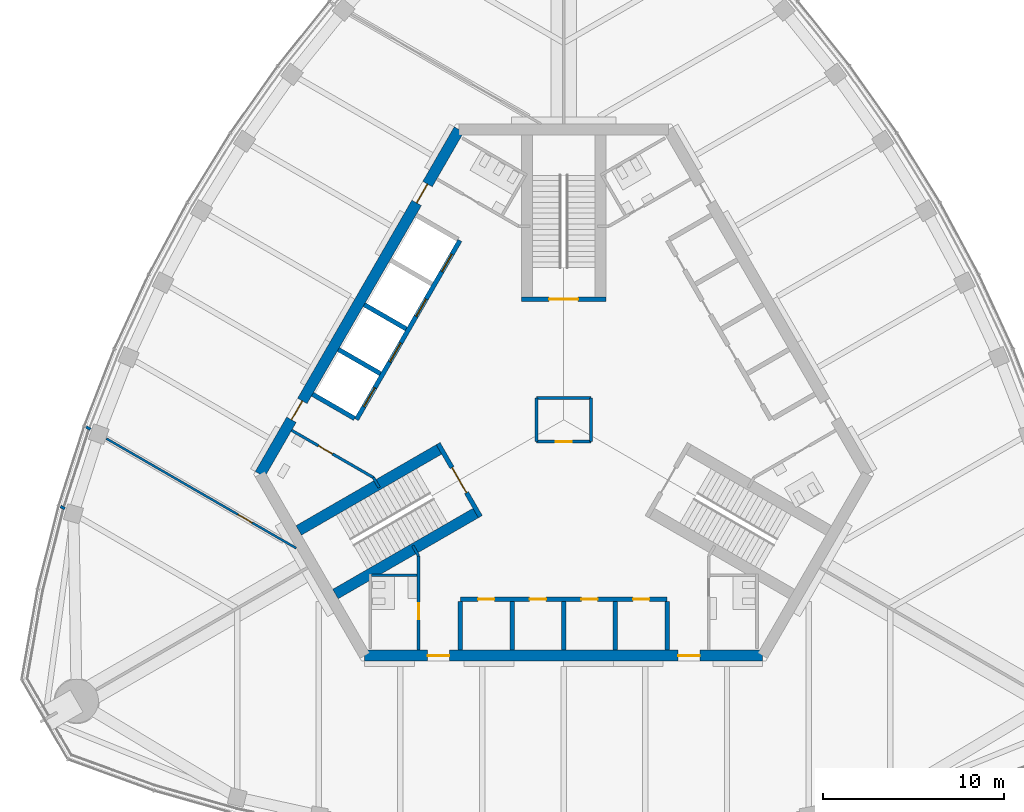
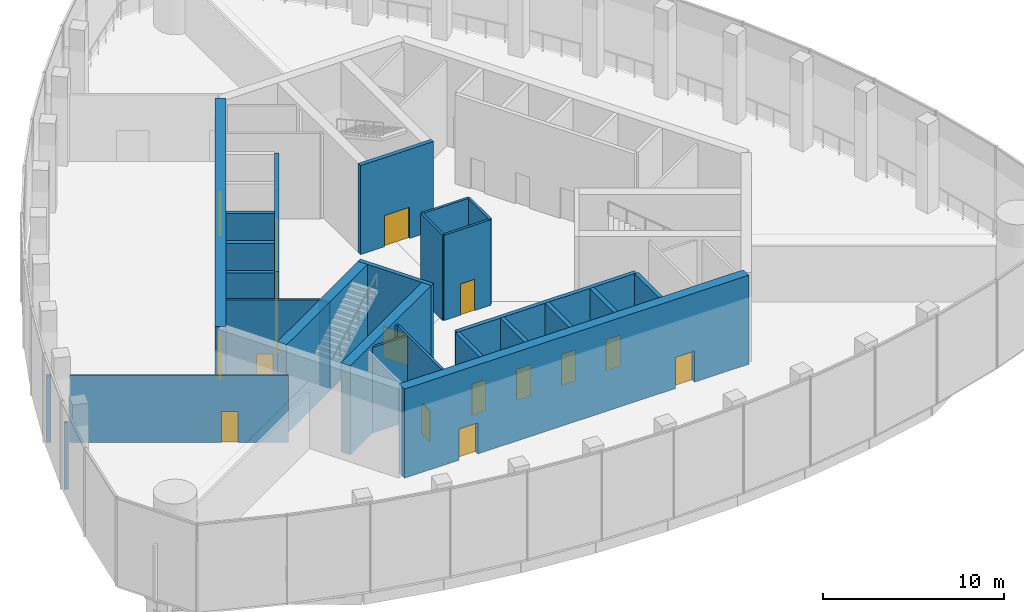
# One storey, part 9 of 15: 28 walls, 18 doors, 18 openings.
"""IFC4 building model written with IfcOpenShell, lengths in metres."""

import ifcopenshell
import ifcopenshell.guid

model = None  # the IFC model being written
_history = None  # IfcOwnerHistory: only IFC2X3 demands one
_inside = {}  # id of a spatial element -> (the spatial element, [elements in it])
_under = {}  # id of a project, library or spatial element -> (it, [spatial elements below it])
_declared = {}  # id of a project -> (the project, [libraries it declares])
_typed = {}  # id of a type object -> (the type object, [elements of that type])
_made_of = {}  # id of a material, layer set ... -> (it, [elements and type objects made of it])


def new_model(schema):
    """Start an empty IFC model of exactly this schema.

    Asked for "IFC4X3", IfcOpenShell would pick the latest addendum, in which some entities
    have other attributes; the version numbers below select the first issue.
    IFC2X3 requires an IfcOwnerHistory on every rooted entity: one is made here for all.
    """
    global model, _history
    if schema == "IFC4X3":
        model = ifcopenshell.file(schema_version=(4, 3, 0, 0))
    else:
        model = ifcopenshell.file(schema=schema)
    _inside.clear()
    _under.clear()
    _declared.clear()
    _typed.clear()
    _made_of.clear()
    _history = None
    if model.schema == "IFC2X3":
        org = make("IfcOrganization", Name="unknown")
        user = make(
            "IfcPersonAndOrganization",
            ThePerson=make("IfcPerson", FamilyName="unknown"),
            TheOrganization=org,
        )
        app = make(
            "IfcApplication",
            ApplicationDeveloper=org,
            Version="unknown",
            ApplicationFullName="unknown",
            ApplicationIdentifier="unknown",
        )
        _history = make(
            "IfcOwnerHistory",
            OwningUser=user,
            OwningApplication=app,
            ChangeAction="ADDED",
            CreationDate=0,
        )
    return model


def make(cls, **values):
    """One entity of the class cls with the attributes given. An attribute that is None is left unset."""
    return model.create_entity(
        cls, **{name: value for name, value in values.items() if value is not None}
    )


def rooted(cls, **values):
    """An entity with a GlobalId (a new one), such as an element, a storey or a relation."""
    return make(cls, GlobalId=ifcopenshell.guid.new(), OwnerHistory=_history, **values)


def si_unit(unit_type, name, prefix=None):
    """IfcSIUnit, for example si_unit("LENGTHUNIT", "METRE", prefix="MILLI")."""
    return make("IfcSIUnit", UnitType=unit_type, Prefix=prefix, Name=name)


def assignment(units):
    """IfcUnitAssignment: the units of a project."""
    return None if units is None else make("IfcUnitAssignment", Units=units)


def point(xyz):
    """IfcCartesianPoint."""
    return None if xyz is None else make("IfcCartesianPoint", Coordinates=xyz)


def direction(xyz):
    """IfcDirection."""
    return None if xyz is None else make("IfcDirection", DirectionRatios=xyz)


def frame(location, z_axis=None, x_axis=None):
    """IfcAxis2Placement3D, a coordinate frame: its origin and axes. An axis left out is left unset."""
    return make(
        "IfcAxis2Placement3D",
        Location=point(location),
        Axis=direction(z_axis),
        RefDirection=direction(x_axis),
    )


def frame_2d(location, x_axis=None):
    """IfcAxis2Placement2D, a coordinate frame in the plane: its origin and x axis."""
    return make(
        "IfcAxis2Placement2D", Location=point(location), RefDirection=direction(x_axis)
    )


def origin():
    """The frame at (0, 0, 0) with its axes left unset."""
    return frame((0.0, 0.0, 0.0))


def place(relative_to, where):
    """IfcLocalPlacement: puts the frame where relative to a parent placement (None: the world)."""
    return make(
        "IfcLocalPlacement", PlacementRelTo=relative_to, RelativePlacement=where
    )


def context(
    kind, dimensions, precision=None, world=None, true_north=None, identifier=None
):
    """IfcGeometricRepresentationContext, for example the 3D "Model" context."""
    return make(
        "IfcGeometricRepresentationContext",
        ContextIdentifier=identifier,
        ContextType=kind,
        CoordinateSpaceDimension=dimensions,
        Precision=precision,
        WorldCoordinateSystem=world,
        TrueNorth=true_north,
    )


def subcontext(parent, identifier, kind, view, scale=None):
    """IfcGeometricRepresentationSubContext, for example "Body" below "Model"."""
    return make(
        "IfcGeometricRepresentationSubContext",
        ContextIdentifier=identifier,
        ContextType=kind,
        ParentContext=parent,
        TargetScale=scale,
        TargetView=view,
    )


def project(units=None, contexts=None):
    """IfcProject with its units and contexts."""
    return rooted(
        "IfcProject",
        Name="project",
        RepresentationContexts=contexts,
        UnitsInContext=assignment(units),
    )


def spatial(cls, under=None, at=None, **own):
    """A site, building, storey or space (cls), placed at a placement, below another one or the project."""
    s = rooted(cls, ObjectPlacement=at, **own)
    if under is not None:
        _under.setdefault(under.id(), (under, []))[1].append(s)
    return s


def profile(cls, at=None, kind="AREA", **sizes):
    """A parametric profile (cls). Its sizes go by their IFC names, for example OverallWidth=200.0."""
    return make(cls, ProfileType=kind, Position=at, **sizes)


def rectangle(**sizes):
    """IfcRectangleProfileDef."""
    return profile("IfcRectangleProfileDef", **sizes)


def extrude(swept, where, along, depth):
    """IfcExtrudedAreaSolid: the profile swept, set in the frame where, extruded along a direction by depth."""
    return make(
        "IfcExtrudedAreaSolid",
        SweptArea=swept,
        Position=where,
        ExtrudedDirection=direction(along),
        Depth=depth,
    )


def shape(context_of_items, identifier, shape_type, items):
    """IfcShapeRepresentation: the items that make up one representation, for example the "Body"."""
    return make(
        "IfcShapeRepresentation",
        ContextOfItems=context_of_items,
        RepresentationIdentifier=identifier,
        RepresentationType=shape_type,
        Items=items,
    )


def material(Name=None, Category=None):
    """IfcMaterial."""
    return make("IfcMaterial", Name=Name, Category=Category)


def layer(
    of_material, thickness, ventilated=None, Name=None, Category=None, Priority=None
):
    """IfcMaterialLayer: one layer of a wall or slab, of a material (None: an air gap)."""
    return make(
        "IfcMaterialLayer",
        Material=of_material,
        LayerThickness=thickness,
        IsVentilated=ventilated,
        Name=Name,
        Category=Category,
        Priority=Priority,
    )


def layer_set(layers, Name=None):
    """IfcMaterialLayerSet."""
    return make("IfcMaterialLayerSet", MaterialLayers=layers, LayerSetName=Name)


def made_of(thing, what):
    """Note that an element or type object is made of a material, layer set ...; save() writes the relation."""
    if what is not None:
        _made_of.setdefault(what.id(), (what, []))[1].append(thing)
    return thing


def type_object(cls, material=None, **own):
    """A type object (cls), such as IfcWallType, which elements share."""
    return made_of(rooted(cls, **own), material)


def element(
    cls,
    number,
    at=None,
    inside=None,
    cuts=None,
    type_object=None,
    material=None,
    context=None,
    identifier="Body",
    shape_type=None,
    held_by="IfcProductDefinitionShape",
    body=None,
    shapes=None,
    **own,
):
    """One element of the class cls, such as IfcWall. Its Tag is "e" and its number.

    at: its placement. inside: the storey or other place that contains it. cuts: it is an
    opening in that element (IfcRelVoidsElement). A single representation is given by context,
    identifier, shape_type and body (its items); several are given by shapes. held_by: the class
    of the entity that holds the representations. save() writes the other relations.
    """
    e = rooted(cls, Tag="e%d" % number, ObjectPlacement=at, **own)
    if body is not None:
        shapes = [shape(context, identifier, shape_type, body)]
    if shapes is not None:
        e.Representation = make(held_by, Representations=shapes)
    if inside is not None:
        _inside.setdefault(inside.id(), (inside, []))[1].append(e)
    if cuts is not None:
        rooted(
            "IfcRelVoidsElement", RelatingBuildingElement=cuts, RelatedOpeningElement=e
        )
    if type_object is not None:
        _typed.setdefault(type_object.id(), (type_object, []))[1].append(e)
    return made_of(e, material)


def fill(opening, filler):
    """IfcRelFillsElement: the door or window that sits in an opening."""
    return rooted(
        "IfcRelFillsElement",
        RelatingOpeningElement=opening,
        RelatedBuildingElement=filler,
    )


def aggregate(whole, parts):
    """IfcRelAggregates: a whole, such as a stair, and the parts it consists of."""
    return rooted("IfcRelAggregates", RelatingObject=whole, RelatedObjects=parts)


def save(model, path):
    """Write the relations noted so far, then the file.

    IfcRelAggregates (storeys below a building ...), IfcRelContainedInSpatialStructure (elements
    in a storey), IfcRelDefinesByType, IfcRelAssociatesMaterial and IfcRelDeclares: one each for
    every whole, place, type object, material and project.
    """
    for whole, parts in _under.values():
        aggregate(whole, parts)
    for where, things in _inside.values():
        rooted(
            "IfcRelContainedInSpatialStructure",
            RelatedElements=things,
            RelatingStructure=where,
        )
    for kind, things in _typed.values():
        rooted("IfcRelDefinesByType", RelatedObjects=things, RelatingType=kind)
    for what, things in _made_of.values():
        rooted("IfcRelAssociatesMaterial", RelatedObjects=things, RelatingMaterial=what)
    for by, libraries in _declared.values():
        rooted("IfcRelDeclares", RelatingContext=by, RelatedDefinitions=libraries)
    model.write(path)


model = new_model("IFC4")

# Units and contexts
model_context = context("Model", 3, precision=1e-05, world=origin(), true_north=direction((0.0, 1.0)))
body_context = subcontext(model_context, "Body", "Model", "MODEL_VIEW")
ifc_project = project(units=[si_unit("LENGTHUNIT", "METRE"), si_unit("AREAUNIT", "SQUARE_METRE"), si_unit("VOLUMEUNIT", "CUBIC_METRE"), si_unit("PLANEANGLEUNIT", "RADIAN"), si_unit("MASSUNIT", "GRAM", prefix="KILO")], contexts=[model_context])

# Site, building, storey
site_placement = place(None, origin())
site = spatial("IfcSite", under=ifc_project, at=site_placement, CompositionType="ELEMENT")
building_placement = place(site_placement, origin())
building = spatial("IfcBuilding", under=site, at=building_placement, Name="Trefoil Bronze Tower", CompositionType="ELEMENT")
storey_placement = place(building_placement, frame((0.0, 0.0, 322.5)))
storey = spatial("IfcBuildingStorey", under=building, at=storey_placement, Name="L74", CompositionType="ELEMENT", Elevation=322.5)

# Wall, openings, doors
ifc_material_1 = material(Name="Concrete B80", Category="concrete")
ifc_layer_1 = layer(ifc_material_1, 0.60009765625)
ifc_layer_set_1 = layer_set([ifc_layer_1], Name="Core wall 600")
wall_type_1 = type_object("IfcWallType", Name="Core wall 600", PredefinedType="SHEAR", material=ifc_layer_set_1)
wall_1_placement = place(storey_placement, frame((-10.9697265625, -13.0, 0.0), z_axis=(0.0, 0.0, 1.0), x_axis=(1.0, 0.0, 0.0)))
wall_1 = element("IfcWall", 1, at=wall_1_placement, inside=storey, type_object=wall_type_1, Name="Core long wall 1 L74", PredefinedType="SHEAR", context=body_context, shape_type="SweptSolid", body=[
    extrude(rectangle(XDim=21.939453125, YDim=0.60009765625, at=frame_2d((10.9697265625, 0.0))), origin(), (0.0, 0.0, 1.0), 6.0),
])
opening_1_placement = place(wall_1_placement, frame((17.269775390625, 0.0, 0.0)))
opening_1 = element("IfcOpeningElement", 2, at=opening_1_placement, cuts=wall_1, Name="Opening D2", PredefinedType="OPENING", context=body_context, shape_type="SweptSolid", body=[
    extrude(rectangle(XDim=1.199951171875, YDim=2.10009765625, at=frame_2d((0.60009765625, 1.050048828125))), frame((0.0, 0.31005859375, 0.0), z_axis=(0.0, -1.0, 0.0), x_axis=(1.0, 0.0, 0.0)), (0.0, 0.0, 1.0), 0.6201171875),
])
opening_2_placement = place(wall_1_placement, frame((3.4697265625, 0.0, 0.0)))
opening_2 = element("IfcOpeningElement", 3, at=opening_2_placement, cuts=wall_1, Name="Opening D2", PredefinedType="OPENING", context=body_context, shape_type="SweptSolid", body=[
    extrude(rectangle(XDim=1.199951171875, YDim=2.10009765625, at=frame_2d((0.60009765625, 1.050048828125))), frame((0.0, 0.31005859375, 0.0), z_axis=(0.0, -1.0, 0.0), x_axis=(1.0, 0.0, 0.0)), (0.0, 0.0, 1.0), 0.6201171875),
])
ifc_material_2 = material(Name="Steel door", Category="steel")
door_type_1 = type_object("IfcDoorType", Name="Lobby door 1200", OperationType="SINGLE_SWING_RIGHT", PredefinedType="DOOR", material=ifc_material_2)
door_1_placement = place(opening_1_placement, origin())
door_1 = element("IfcDoor", 4, at=door_1_placement, inside=storey, type_object=door_type_1, Name="Lobby door F1+ L74", OperationType="SINGLE_SWING_RIGHT", OverallHeight=2.10009765625, OverallWidth=1.199951171875, PredefinedType="DOOR", context=body_context, shape_type="SweptSolid", body=[
    extrude(rectangle(XDim=1.199951171875, YDim=2.10009765625, at=frame_2d((0.60009765625, 1.050048828125))), frame((0.0, 0.02490234375, 0.0), z_axis=(0.0, -1.0, 0.0), x_axis=(1.0, 0.0, 0.0)), (0.0, 0.0, 1.0), 0.050048828125),
])
fill(opening_1, door_1)
door_2_placement = place(opening_2_placement, origin())
door_2 = element("IfcDoor", 5, at=door_2_placement, inside=storey, type_object=door_type_1, Name="Lobby door F1- L74", OperationType="SINGLE_SWING_LEFT", OverallHeight=2.10009765625, OverallWidth=1.199951171875, PredefinedType="DOOR", context=body_context, shape_type="SweptSolid", body=[
    extrude(rectangle(XDim=1.199951171875, YDim=2.10009765625, at=frame_2d((0.60009765625, 1.050048828125))), frame((0.0, 0.02490234375, 0.0), z_axis=(0.0, -1.0, 0.0), x_axis=(1.0, 0.0, 0.0)), (0.0, 0.0, 1.0), 0.050048828125),
])
fill(opening_2, door_2)

wall_2_placement = place(storey_placement, frame((-5.7734375, 16.0, 0.0), z_axis=(0.0, 0.0, 1.0), x_axis=(-0.500002442456, -0.866023993627, 0.0)))
wall_2 = element("IfcWall", 6, at=wall_2_placement, inside=storey, type_object=wall_type_1, Name="Core long wall 3 L74", PredefinedType="SHEAR", context=body_context, shape_type="SweptSolid", body=[
    extrude(rectangle(XDim=21.939453125, YDim=0.60009765625, at=frame_2d((10.9697265625, 0.0))), origin(), (0.0, 0.0, 1.0), 6.0),
])
opening_3_placement = place(wall_2_placement, frame((17.269775390625, 0.0, 0.0)))
opening_3 = element("IfcOpeningElement", 7, at=opening_3_placement, cuts=wall_2, Name="Opening D2", PredefinedType="OPENING", context=body_context, shape_type="SweptSolid", body=[
    extrude(rectangle(XDim=1.199951171875, YDim=2.10009765625, at=frame_2d((0.60009765625, 1.050048828125))), frame((0.0, 0.31005859375, 0.0), z_axis=(0.0, -1.0, 0.0), x_axis=(1.0, 0.0, 0.0)), (0.0, 0.0, 1.0), 0.6201171875),
])
opening_4_placement = place(wall_2_placement, frame((3.4697265625, 0.0, 0.0)))
opening_4 = element("IfcOpeningElement", 8, at=opening_4_placement, cuts=wall_2, Name="Opening D2", PredefinedType="OPENING", context=body_context, shape_type="SweptSolid", body=[
    extrude(rectangle(XDim=1.199951171875, YDim=2.10009765625, at=frame_2d((0.60009765625, 1.050048828125))), frame((0.0, 0.31005859375, 0.0), z_axis=(0.0, -1.0, 0.0), x_axis=(1.0, 0.0, 0.0)), (0.0, 0.0, 1.0), 0.6201171875),
])
door_3_placement = place(opening_3_placement, origin())
door_3 = element("IfcDoor", 9, at=door_3_placement, inside=storey, type_object=door_type_1, Name="Lobby door F3+ L74", OperationType="SINGLE_SWING_RIGHT", OverallHeight=2.10009765625, OverallWidth=1.199951171875, PredefinedType="DOOR", context=body_context, shape_type="SweptSolid", body=[
    extrude(rectangle(XDim=1.199951171875, YDim=2.10009765625, at=frame_2d((0.60009765625, 1.050048828125))), frame((0.0, 0.02490234375, 0.0), z_axis=(0.0, -1.0, 0.0), x_axis=(1.0, 0.0, 0.0)), (0.0, 0.0, 1.0), 0.050048828125),
])
fill(opening_3, door_3)
door_4_placement = place(opening_4_placement, origin())
door_4 = element("IfcDoor", 10, at=door_4_placement, inside=storey, type_object=door_type_1, Name="Lobby door F3- L74", OperationType="SINGLE_SWING_LEFT", OverallHeight=2.10009765625, OverallWidth=1.199951171875, PredefinedType="DOOR", context=body_context, shape_type="SweptSolid", body=[
    extrude(rectangle(XDim=1.199951171875, YDim=2.10009765625, at=frame_2d((0.60009765625, 1.050048828125))), frame((0.0, 0.02490234375, 0.0), z_axis=(0.0, -1.0, 0.0), x_axis=(1.0, 0.0, 0.0)), (0.0, 0.0, 1.0), 0.050048828125),
])
fill(opening_4, door_4)

# Wall, opening, door
ifc_material_3 = material(Name="Glazed partition", Category="glass")
ifc_layer_2 = layer(ifc_material_3, 0.1201171875)
ifc_layer_set_2 = layer_set([ifc_layer_2], Name="Glazed partition 120")
wall_type_2 = type_object("IfcWallType", Name="Glazed partition 120", PredefinedType="PARTITIONING", material=ifc_layer_set_2)
wall_3_placement = place(storey_placement, frame((-14.749755859375, -7.07275390625, 0.0), z_axis=(0.0, 0.0, 1.0), x_axis=(-0.866024005325, 0.500002422196, 0.0)))
wall_3 = element("IfcWall", 11, at=wall_3_placement, inside=storey, type_object=wall_type_2, Name="Partition F3 L74", PredefinedType="PARTITIONING", context=body_context, shape_type="SweptSolid", body=[
    extrude(rectangle(XDim=12.07763671875, YDim=0.1201171875, at=frame_2d((6.038818359375, 0.0))), origin(), (0.0, 0.0, 1.0), 4.5),
])
opening_5_placement = place(wall_3_placement, frame((2.800048828125, 0.0, 0.0)))
opening_5 = element("IfcOpeningElement", 12, at=opening_5_placement, cuts=wall_3, Name="Opening D8", PredefinedType="OPENING", context=body_context, shape_type="SweptSolid", body=[
    extrude(rectangle(XDim=0.89990234375, YDim=2.10009765625, at=frame_2d((0.449951171875, 1.050048828125))), frame((0.0, 0.070068359375, 0.0), z_axis=(0.0, -1.0, 0.0), x_axis=(1.0, 0.0, 0.0)), (0.0, 0.0, 1.0), 0.14013671875),
])
ifc_material_4 = material(Name="Timber door", Category="wood")
door_type_2 = type_object("IfcDoorType", Name="Office door 900", OperationType="SINGLE_SWING_LEFT", PredefinedType="DOOR", material=ifc_material_4)
door_5_placement = place(opening_5_placement, origin())
door_5 = element("IfcDoor", 13, at=door_5_placement, inside=storey, type_object=door_type_2, Name="Gift shop door F3 L74", OperationType="SINGLE_SWING_LEFT", OverallHeight=2.10009765625, OverallWidth=0.89990234375, PredefinedType="DOOR", context=body_context, shape_type="SweptSolid", body=[
    extrude(rectangle(XDim=0.89990234375, YDim=2.10009765625, at=frame_2d((0.449951171875, 1.050048828125))), frame((0.0, 0.02490234375, 0.0), z_axis=(0.0, -1.0, 0.0), x_axis=(1.0, 0.0, 0.0)), (0.0, 0.0, 1.0), 0.050048828125),
])
fill(opening_5, door_5)

ifc_material_5 = material(Name="Gypsum board on steel studs", Category="steel")
ifc_layer_3 = layer(ifc_material_5, 0.14990234375)
ifc_layer_set_3 = layer_set([ifc_layer_3], Name="Partition 150")
wall_type_3 = type_object("IfcWallType", Name="Partition 150", PredefinedType="PARTITIONING", material=ifc_layer_set_3)
wall_4_placement = place(storey_placement, frame((-8.0, -7.5, 0.0), z_axis=(0.0, 0.0, 1.0), x_axis=(0.0, -1.0, 0.0)))
wall_4 = element("IfcWall", 14, at=wall_4_placement, inside=storey, type_object=wall_type_3, Name="Passage wall F1- L74", PredefinedType="PARTITIONING", context=body_context, shape_type="SweptSolid", body=[
    extrude(rectangle(XDim=5.199951171875, YDim=0.14990234375, at=frame_2d((2.60009765625, 0.0))), origin(), (0.0, 0.0, 1.0), 5.75),
])
opening_6_placement = place(wall_4_placement, frame((2.60009765625, 0.0, 0.0)))
opening_6 = element("IfcOpeningElement", 15, at=opening_6_placement, cuts=wall_4, Name="Opening D3", PredefinedType="OPENING", context=body_context, shape_type="SweptSolid", body=[
    extrude(rectangle(XDim=0.89990234375, YDim=2.10009765625, at=frame_2d((0.449951171875, 1.050048828125))), frame((0.0, 0.0849609375, 0.0), z_axis=(0.0, -1.0, 0.0), x_axis=(1.0, 0.0, 0.0)), (0.0, 0.0, 1.0), 0.169921875),
])
ifc_material_6 = material(Name="Timber door", Category="wood")
door_type_3 = type_object("IfcDoorType", Name="WC door 900", OperationType="SINGLE_SWING_LEFT", PredefinedType="DOOR", material=ifc_material_6)
door_6_placement = place(opening_6_placement, frame((0.89990234375, 0.0, 0.0), z_axis=(0.0, 0.0, 1.0), x_axis=(-1.0, 0.0, 0.0)))
door_6 = element("IfcDoor", 16, at=door_6_placement, inside=storey, type_object=door_type_3, Name="WC (women) door L74", OperationType="SINGLE_SWING_RIGHT", OverallHeight=2.10009765625, OverallWidth=0.89990234375, PredefinedType="DOOR", context=body_context, shape_type="SweptSolid", body=[
    extrude(rectangle(XDim=0.89990234375, YDim=2.10009765625, at=frame_2d((0.449951171875, 1.050048828125))), frame((0.0, 0.02490234375, 0.0), z_axis=(0.0, -1.0, 0.0), x_axis=(1.0, 0.0, 0.0)), (0.0, 0.0, 1.0), 0.050048828125),
])
fill(opening_6, door_6)

wall_5_placement = place(storey_placement, frame((-10.4951171875, -3.17822265625, 0.0), z_axis=(0.0, 0.0, 1.0), x_axis=(-0.866021400173, 0.500006934395, 0.0)))
wall_5 = element("IfcWall", 17, at=wall_5_placement, inside=storey, type_object=wall_type_3, Name="Passage wall F3+ L74", PredefinedType="PARTITIONING", context=body_context, shape_type="SweptSolid", body=[
    extrude(rectangle(XDim=5.2001953125, YDim=0.14990234375, at=frame_2d((2.60009765625, 0.0))), origin(), (0.0, 0.0, 1.0), 5.75),
])
opening_7_placement = place(wall_5_placement, frame((2.60009765625, 0.0, 0.0)))
opening_7 = element("IfcOpeningElement", 18, at=opening_7_placement, cuts=wall_5, Name="Opening D3", PredefinedType="OPENING", context=body_context, shape_type="SweptSolid", body=[
    extrude(rectangle(XDim=0.89990234375, YDim=2.10009765625, at=frame_2d((0.449951171875, 1.050048828125))), frame((0.0, 0.0849609375, 0.0), z_axis=(0.0, -1.0, 0.0), x_axis=(1.0, 0.0, 0.0)), (0.0, 0.0, 1.0), 0.169921875),
])
door_7_placement = place(opening_7_placement, origin())
door_7 = element("IfcDoor", 19, at=door_7_placement, inside=storey, type_object=door_type_3, Name="Accessible WC door L74", OperationType="SINGLE_SWING_RIGHT", OverallHeight=2.10009765625, OverallWidth=0.89990234375, PredefinedType="DOOR", context=body_context, shape_type="SweptSolid", body=[
    extrude(rectangle(XDim=0.89990234375, YDim=2.10009765625, at=frame_2d((0.449951171875, 1.050048828125))), frame((0.0, 0.02490234375, 0.0), z_axis=(0.0, -1.0, 0.0), x_axis=(1.0, 0.0, 0.0)), (0.0, 0.0, 1.0), 0.050048828125),
])
fill(opening_7, door_7)

# Walls
for number, where, z_axis, x_axis, name in (
    (20, (-10.4951171875, -3.17822265625, 0.0), (0.0, 0.0, 1.0), (0.499842556608, -0.866116284689, 0.0), "WC wall ST3-1 L74"),
    (21, (-8.0, -7.5, 0.0), (0.0, 0.0, 1.0), (-0.499842556608, 0.866116284689, 0.0), "WC wall ST3+1 L74"),
):
    element("IfcWall", number, at=place(storey_placement, frame(where, z_axis=z_axis, x_axis=x_axis)), inside=storey, type_object=wall_type_3, Name=name, PredefinedType="PARTITIONING", context=body_context, shape_type="SweptSolid", body=[
        extrude(rectangle(XDim=0.645263671875, YDim=0.14990234375, at=frame_2d((0.32275390625, 0.0))), origin(), (0.0, 0.0, 1.0), 5.75),
    ])
wall_6_placement = place(storey_placement, frame((-8.074951171875, -8.574951171875, 0.0), z_axis=(0.0, 0.0, 1.0), x_axis=(-1.0, 0.0, 0.0)))
element("IfcWall", 22, at=wall_6_placement, inside=storey, type_object=wall_type_3, Name="WC partition WC (women) L74", PredefinedType="PARTITIONING", context=body_context, shape_type="SweptSolid", body=[
    extrude(rectangle(XDim=2.510009765625, YDim=0.14990234375, at=frame_2d((1.2548828125, 0.0))), origin(), (0.0, 0.0, 1.0), 5.75),
])
wall_7_placement = place(storey_placement, frame((-26.08935546875, -0.52587890625, 0.0), z_axis=(0.0, 0.0, 1.0), x_axis=(-0.865982457891, 0.500074377092, 0.0)))
element("IfcWall", 23, at=wall_7_placement, inside=storey, type_object=wall_type_3, Name="Partition F3 L74", PredefinedType="PARTITIONING", context=body_context, shape_type="SweptSolid", body=[
    extrude(rectangle(XDim=0.2802734375, YDim=0.14990234375, at=frame_2d((0.14013671875, 0.0))), origin(), (0.0, 0.0, 1.0), 4.5),
])
wall_8_placement = place(storey_placement, frame((-27.503662109375, -4.905517578125, 0.0), z_axis=(0.0, 0.0, 1.0), x_axis=(-0.865612200464, 0.500715007172, 0.0)))
element("IfcWall", 24, at=wall_8_placement, inside=storey, type_object=wall_type_3, Name="Partition F3 L74", PredefinedType="PARTITIONING", context=body_context, shape_type="SweptSolid", body=[
    extrude(rectangle(XDim=0.26953125, YDim=0.14990234375, at=frame_2d((0.134765625, 0.0))), origin(), (0.0, 0.0, 1.0), 4.5),
])

# Wall, opening, door
ifc_material_7 = material(Name="Gypsum board on steel studs", Category="steel")
ifc_layer_4 = layer(ifc_material_7, 0.14990234375)
ifc_layer_set_4 = layer_set([ifc_layer_4], Name="Riser wall 150")
wall_type_4 = type_object("IfcWallType", Name="Riser wall 150", PredefinedType="PARTITIONING", material=ifc_layer_set_4)
wall_9_placement = place(storey_placement, frame((-1.5, -1.199951171875, 0.0), z_axis=(0.0, 0.0, 1.0), x_axis=(1.0, 0.0, 0.0)))
wall_9 = element("IfcWall", 25, at=wall_9_placement, inside=storey, type_object=wall_type_4, Name="Riser wall L74", PredefinedType="PARTITIONING", context=body_context, shape_type="SweptSolid", body=[
    extrude(rectangle(XDim=3.0, YDim=0.14990234375, at=frame_2d((1.5, 0.0))), origin(), (0.0, 0.0, 1.0), 5.75),
])
opening_8_placement = place(wall_9_placement, frame((1.050048828125, 0.0, 0.0)))
opening_8 = element("IfcOpeningElement", 26, at=opening_8_placement, cuts=wall_9, Name="Opening D4", PredefinedType="OPENING", context=body_context, shape_type="SweptSolid", body=[
    extrude(rectangle(XDim=0.89990234375, YDim=2.10009765625, at=frame_2d((0.449951171875, 1.050048828125))), frame((0.0, 0.0849609375, 0.0), z_axis=(0.0, -1.0, 0.0), x_axis=(1.0, 0.0, 0.0)), (0.0, 0.0, 1.0), 0.169921875),
])
ifc_material_8 = material(Name="Steel door", Category="steel")
door_type_4 = type_object("IfcDoorType", Name="Riser door 900", OperationType="SINGLE_SWING_LEFT", PredefinedType="DOOR", material=ifc_material_8)
door_8_placement = place(opening_8_placement, frame((0.89990234375, 0.0, 0.0), z_axis=(0.0, 0.0, 1.0), x_axis=(-1.0, 0.0, 0.0)))
door_8 = element("IfcDoor", 27, at=door_8_placement, inside=storey, type_object=door_type_4, Name="Riser door L74", OperationType="SINGLE_SWING_LEFT", OverallHeight=2.10009765625, OverallWidth=0.89990234375, PredefinedType="DOOR", context=body_context, shape_type="SweptSolid", body=[
    extrude(rectangle(XDim=0.89990234375, YDim=2.10009765625, at=frame_2d((0.449951171875, 1.050048828125))), frame((0.0, 0.02490234375, 0.0), z_axis=(0.0, -1.0, 0.0), x_axis=(1.0, 0.0, 0.0)), (0.0, 0.0, 1.0), 0.050048828125),
])
fill(opening_8, door_8)

# Walls
wall_10_placement = place(storey_placement, frame((1.5, -1.199951171875, 0.0), z_axis=(0.0, 0.0, 1.0), x_axis=(0.0, 1.0, 0.0)))
element("IfcWall", 28, at=wall_10_placement, inside=storey, type_object=wall_type_4, Name="Riser wall L74", PredefinedType="PARTITIONING", context=body_context, shape_type="SweptSolid", body=[
    extrude(rectangle(XDim=2.39990234375, YDim=0.14990234375, at=frame_2d((1.199951171875, 0.0))), origin(), (0.0, 0.0, 1.0), 5.75),
])
wall_11_placement = place(storey_placement, frame((1.5, 1.199951171875, 0.0), z_axis=(0.0, 0.0, 1.0), x_axis=(-1.0, 0.0, 0.0)))
element("IfcWall", 29, at=wall_11_placement, inside=storey, type_object=wall_type_4, Name="Riser wall L74", PredefinedType="PARTITIONING", context=body_context, shape_type="SweptSolid", body=[
    extrude(rectangle(XDim=3.0, YDim=0.14990234375, at=frame_2d((1.5, 0.0))), origin(), (0.0, 0.0, 1.0), 5.75),
])
wall_12_placement = place(storey_placement, frame((-1.5, 1.199951171875, 0.0), z_axis=(0.0, 0.0, 1.0), x_axis=(0.0, -1.0, 0.0)))
element("IfcWall", 30, at=wall_12_placement, inside=storey, type_object=wall_type_4, Name="Riser wall L74", PredefinedType="PARTITIONING", context=body_context, shape_type="SweptSolid", body=[
    extrude(rectangle(XDim=2.39990234375, YDim=0.14990234375, at=frame_2d((1.199951171875, 0.0))), origin(), (0.0, 0.0, 1.0), 5.75),
])

# Wall, openings, doors
ifc_material_9 = material(Name="Concrete B80", Category="concrete")
ifc_layer_5 = layer(ifc_material_9, 0.25)
ifc_layer_set_5 = layer_set([ifc_layer_5], Name="Shaft wall 250")
wall_type_5 = type_object("IfcWallType", Name="Shaft wall 250", PredefinedType="SHEAR", material=ifc_layer_set_5)
wall_13_placement = place(storey_placement, frame((-5.699951171875, -9.89990234375, 0.0), z_axis=(0.0, 0.0, 1.0), x_axis=(1.0, 0.0, 0.0)))
wall_13 = element("IfcWall", 31, at=wall_13_placement, inside=storey, type_object=wall_type_5, Name="Lift shaft front wall A L74", PredefinedType="SHEAR", context=body_context, shape_type="SweptSolid", body=[
    extrude(rectangle(XDim=11.39990234375, YDim=0.25, at=frame_2d((5.699951171875, 0.0))), origin(), (0.0, 0.0, 1.0), 6.0),
])
opening_9_placement = place(wall_13_placement, frame((0.97509765625, 0.0, 0.0)))
opening_9 = element("IfcOpeningElement", 32, at=opening_9_placement, cuts=wall_13, Name="Opening D12", PredefinedType="OPENING", context=body_context, shape_type="SweptSolid", body=[
    extrude(rectangle(XDim=0.89990234375, YDim=2.10009765625, at=frame_2d((0.449951171875, 1.050048828125))), frame((0.0, 0.135009765625, 0.0), z_axis=(0.0, -1.0, 0.0), x_axis=(1.0, 0.0, 0.0)), (0.0, 0.0, 1.0), 0.27001953125),
])
opening_10_placement = place(wall_13_placement, frame((3.824951171875, 0.0, 0.0)))
opening_10 = element("IfcOpeningElement", 33, at=opening_10_placement, cuts=wall_13, Name="Opening D12", PredefinedType="OPENING", context=body_context, shape_type="SweptSolid", body=[
    extrude(rectangle(XDim=0.89990234375, YDim=2.10009765625, at=frame_2d((0.449951171875, 1.050048828125))), frame((0.0, 0.135009765625, 0.0), z_axis=(0.0, -1.0, 0.0), x_axis=(1.0, 0.0, 0.0)), (0.0, 0.0, 1.0), 0.27001953125),
])
opening_11_placement = place(wall_13_placement, frame((6.675048828125, 0.0, 0.0)))
opening_11 = element("IfcOpeningElement", 34, at=opening_11_placement, cuts=wall_13, Name="Opening D12", PredefinedType="OPENING", context=body_context, shape_type="SweptSolid", body=[
    extrude(rectangle(XDim=0.89990234375, YDim=2.10009765625, at=frame_2d((0.449951171875, 1.050048828125))), frame((0.0, 0.135009765625, 0.0), z_axis=(0.0, -1.0, 0.0), x_axis=(1.0, 0.0, 0.0)), (0.0, 0.0, 1.0), 0.27001953125),
])
opening_12_placement = place(wall_13_placement, frame((9.52490234375, 0.0, 0.0)))
opening_12 = element("IfcOpeningElement", 35, at=opening_12_placement, cuts=wall_13, Name="Opening D12", PredefinedType="OPENING", context=body_context, shape_type="SweptSolid", body=[
    extrude(rectangle(XDim=0.89990234375, YDim=2.10009765625, at=frame_2d((0.449951171875, 1.050048828125))), frame((0.0, 0.135009765625, 0.0), z_axis=(0.0, -1.0, 0.0), x_axis=(1.0, 0.0, 0.0)), (0.0, 0.0, 1.0), 0.27001953125),
])
ifc_material_10 = material(Name="Steel door", Category="steel")
door_type_5 = type_object("IfcDoorType", Name="Shaft room door 900", OperationType="SINGLE_SWING_LEFT", PredefinedType="DOOR", material=ifc_material_10)
door_9_placement = place(opening_9_placement, frame((0.89990234375, 0.0, 0.0), z_axis=(0.0, 0.0, 1.0), x_axis=(-1.0, 0.0, 0.0)))
door_9 = element("IfcDoor", 36, at=door_9_placement, inside=storey, type_object=door_type_5, Name="Shaft room door A1 L74", OperationType="SINGLE_SWING_RIGHT", OverallHeight=2.10009765625, OverallWidth=0.89990234375, PredefinedType="DOOR", context=body_context, shape_type="SweptSolid", body=[
    extrude(rectangle(XDim=0.89990234375, YDim=2.10009765625, at=frame_2d((0.449951171875, 1.050048828125))), frame((0.0, 0.02490234375, 0.0), z_axis=(0.0, -1.0, 0.0), x_axis=(1.0, 0.0, 0.0)), (0.0, 0.0, 1.0), 0.050048828125),
])
fill(opening_9, door_9)
door_10_placement = place(opening_10_placement, frame((0.89990234375, 0.0, 0.0), z_axis=(0.0, 0.0, 1.0), x_axis=(-1.0, 0.0, 0.0)))
door_10 = element("IfcDoor", 37, at=door_10_placement, inside=storey, type_object=door_type_5, Name="Shaft room door A2 L74", OperationType="SINGLE_SWING_LEFT", OverallHeight=2.10009765625, OverallWidth=0.89990234375, PredefinedType="DOOR", context=body_context, shape_type="SweptSolid", body=[
    extrude(rectangle(XDim=0.89990234375, YDim=2.10009765625, at=frame_2d((0.449951171875, 1.050048828125))), frame((0.0, 0.02490234375, 0.0), z_axis=(0.0, -1.0, 0.0), x_axis=(1.0, 0.0, 0.0)), (0.0, 0.0, 1.0), 0.050048828125),
])
fill(opening_10, door_10)
door_11_placement = place(opening_11_placement, frame((0.89990234375, 0.0, 0.0), z_axis=(0.0, 0.0, 1.0), x_axis=(-1.0, 0.0, 0.0)))
door_11 = element("IfcDoor", 38, at=door_11_placement, inside=storey, type_object=door_type_5, Name="Shaft room door A3 L74", OperationType="SINGLE_SWING_RIGHT", OverallHeight=2.10009765625, OverallWidth=0.89990234375, PredefinedType="DOOR", context=body_context, shape_type="SweptSolid", body=[
    extrude(rectangle(XDim=0.89990234375, YDim=2.10009765625, at=frame_2d((0.449951171875, 1.050048828125))), frame((0.0, 0.02490234375, 0.0), z_axis=(0.0, -1.0, 0.0), x_axis=(1.0, 0.0, 0.0)), (0.0, 0.0, 1.0), 0.050048828125),
])
fill(opening_11, door_11)
door_12_placement = place(opening_12_placement, frame((0.89990234375, 0.0, 0.0), z_axis=(0.0, 0.0, 1.0), x_axis=(-1.0, 0.0, 0.0)))
door_12 = element("IfcDoor", 39, at=door_12_placement, inside=storey, type_object=door_type_5, Name="Shaft room door A4 L74", OperationType="SINGLE_SWING_RIGHT", OverallHeight=2.10009765625, OverallWidth=0.89990234375, PredefinedType="DOOR", context=body_context, shape_type="SweptSolid", body=[
    extrude(rectangle(XDim=0.89990234375, YDim=2.10009765625, at=frame_2d((0.449951171875, 1.050048828125))), frame((0.0, 0.02490234375, 0.0), z_axis=(0.0, -1.0, 0.0), x_axis=(1.0, 0.0, 0.0)), (0.0, 0.0, 1.0), 0.050048828125),
])
fill(opening_12, door_12)

# Walls
for number, where, z_axis, x_axis, name in (
    (40, (-5.699951171875, -10.02490234375, 0.0), (0.0, 0.0, 1.0), (0.0, -1.0, 0.0), "Lift shaft side wall A0 L74"),
    (41, (-2.85009765625, -10.02490234375, 0.0), (0.0, 0.0, 1.0), (0.0, -1.0, 0.0), "Lift shaft side wall A1 L74"),
    (42, (0.0, -10.02490234375, 0.0), (0.0, 0.0, 1.0), (0.0, -1.0, 0.0), "Lift shaft side wall A2 L74"),
    (43, (2.85009765625, -10.02490234375, 0.0), (0.0, 0.0, 1.0), (0.0, -1.0, 0.0), "Lift shaft side wall A3 L74"),
    (44, (5.699951171875, -10.02490234375, 0.0), (0.0, 0.0, 1.0), (0.0, -1.0, 0.0), "Lift shaft side wall A4 L74"),
):
    element("IfcWall", number, at=place(storey_placement, frame(where, z_axis=z_axis, x_axis=x_axis)), inside=storey, type_object=wall_type_5, Name=name, PredefinedType="SHEAR", context=body_context, shape_type="SweptSolid", body=[
        extrude(rectangle(XDim=2.675048828125, YDim=0.25, at=frame_2d((1.33740234375, 0.0))), origin(), (0.0, 0.0, 1.0), 6.0),
    ])

# Wall, openings, doors
wall_14_placement = place(storey_placement, frame((-5.7236328125, 9.88623046875, 0.0), z_axis=(0.0, 0.0, 1.0), x_axis=(-0.500001763848, -0.866024385424, 0.0)))
wall_14 = element("IfcWall", 45, at=wall_14_placement, inside=storey, type_object=wall_type_5, Name="Lift shaft front wall C L74", PredefinedType="SHEAR", context=body_context, shape_type="SweptSolid", body=[
    extrude(rectangle(XDim=11.39990234375, YDim=0.25, at=frame_2d((5.699951171875, 0.0))), origin(), (0.0, 0.0, 1.0), 6.0),
])
opening_13_placement = place(wall_14_placement, frame((0.875, 0.0, 0.0)))
opening_13 = element("IfcOpeningElement", 46, at=opening_13_placement, cuts=wall_14, Name="Opening LD-S5", PredefinedType="OPENING", context=body_context, shape_type="SweptSolid", body=[
    extrude(rectangle(XDim=1.10009765625, YDim=2.199951171875, at=frame_2d((0.550048828125, 1.10009765625))), frame((0.0, 0.135009765625, 0.0), z_axis=(0.0, -1.0, 0.0), x_axis=(1.0, 0.0, 0.0)), (0.0, 0.0, 1.0), 0.27001953125),
])
opening_14_placement = place(wall_14_placement, frame((3.72509765625, 0.0, 0.0)))
opening_14 = element("IfcOpeningElement", 47, at=opening_14_placement, cuts=wall_14, Name="Opening LD-S6", PredefinedType="OPENING", context=body_context, shape_type="SweptSolid", body=[
    extrude(rectangle(XDim=1.10009765625, YDim=2.199951171875, at=frame_2d((0.550048828125, 1.10009765625))), frame((0.0, 0.135009765625, 0.0), z_axis=(0.0, -1.0, 0.0), x_axis=(1.0, 0.0, 0.0)), (0.0, 0.0, 1.0), 0.27001953125),
])
opening_15_placement = place(wall_14_placement, frame((6.52490234375, 0.0, 0.0)))
opening_15 = element("IfcOpeningElement", 48, at=opening_15_placement, cuts=wall_14, Name="Opening LD-FL1", PredefinedType="OPENING", context=body_context, shape_type="SweptSolid", body=[
    extrude(rectangle(XDim=1.199951171875, YDim=2.199951171875, at=frame_2d((0.60009765625, 1.10009765625))), frame((0.0, 0.135009765625, 0.0), z_axis=(0.0, -1.0, 0.0), x_axis=(1.0, 0.0, 0.0)), (0.0, 0.0, 1.0), 0.27001953125),
])
opening_16_placement = place(wall_14_placement, frame((9.375, 0.0, 0.0)))
opening_16 = element("IfcOpeningElement", 49, at=opening_16_placement, cuts=wall_14, Name="Opening LD-FL2", PredefinedType="OPENING", context=body_context, shape_type="SweptSolid", body=[
    extrude(rectangle(XDim=1.199951171875, YDim=2.199951171875, at=frame_2d((0.60009765625, 1.10009765625))), frame((0.0, 0.135009765625, 0.0), z_axis=(0.0, -1.0, 0.0), x_axis=(1.0, 0.0, 0.0)), (0.0, 0.0, 1.0), 0.27001953125),
])
ifc_material_11 = material(Name="Steel door", Category="steel")
door_type_6 = type_object("IfcDoorType", Name="Lift landing door 1100", OperationType="DOUBLE_DOOR_SLIDING", PredefinedType="DOOR", material=ifc_material_11)
door_13_placement = place(opening_13_placement, origin())
door_13 = element("IfcDoor", 50, at=door_13_placement, inside=storey, type_object=door_type_6, Name="Lift S5 landing door L74", OperationType="DOUBLE_DOOR_SLIDING", OverallHeight=2.199951171875, OverallWidth=1.10009765625, PredefinedType="DOOR", context=body_context, shape_type="SweptSolid", body=[
    extrude(rectangle(XDim=1.10009765625, YDim=2.199951171875, at=frame_2d((0.550048828125, 1.10009765625))), frame((0.0, 0.02490234375, 0.0), z_axis=(0.0, -1.0, 0.0), x_axis=(1.0, 0.0, 0.0)), (0.0, 0.0, 1.0), 0.050048828125),
])
fill(opening_13, door_13)
door_14_placement = place(opening_14_placement, origin())
door_14 = element("IfcDoor", 51, at=door_14_placement, inside=storey, type_object=door_type_6, Name="Lift S6 landing door L74", OperationType="DOUBLE_DOOR_SLIDING", OverallHeight=2.199951171875, OverallWidth=1.10009765625, PredefinedType="DOOR", context=body_context, shape_type="SweptSolid", body=[
    extrude(rectangle(XDim=1.10009765625, YDim=2.199951171875, at=frame_2d((0.550048828125, 1.10009765625))), frame((0.0, 0.02490234375, 0.0), z_axis=(0.0, -1.0, 0.0), x_axis=(1.0, 0.0, 0.0)), (0.0, 0.0, 1.0), 0.050048828125),
])
fill(opening_14, door_14)
ifc_material_12 = material(Name="Steel door", Category="steel")
door_type_7 = type_object("IfcDoorType", Name="Lift landing door 1200", OperationType="DOUBLE_DOOR_SLIDING", PredefinedType="DOOR", material=ifc_material_12)
door_15_placement = place(opening_15_placement, origin())
door_15 = element("IfcDoor", 52, at=door_15_placement, inside=storey, type_object=door_type_7, Name="Lift FL1 landing door L74", OperationType="DOUBLE_DOOR_SLIDING", OverallHeight=2.199951171875, OverallWidth=1.199951171875, PredefinedType="DOOR", context=body_context, shape_type="SweptSolid", body=[
    extrude(rectangle(XDim=1.199951171875, YDim=2.199951171875, at=frame_2d((0.60009765625, 1.10009765625))), frame((0.0, 0.02490234375, 0.0), z_axis=(0.0, -1.0, 0.0), x_axis=(1.0, 0.0, 0.0)), (0.0, 0.0, 1.0), 0.050048828125),
])
fill(opening_15, door_15)
door_16_placement = place(opening_16_placement, origin())
door_16 = element("IfcDoor", 53, at=door_16_placement, inside=storey, type_object=door_type_7, Name="Lift FL2 landing door L74", OperationType="DOUBLE_DOOR_SLIDING", OverallHeight=2.199951171875, OverallWidth=1.199951171875, PredefinedType="DOOR", context=body_context, shape_type="SweptSolid", body=[
    extrude(rectangle(XDim=1.199951171875, YDim=2.199951171875, at=frame_2d((0.60009765625, 1.10009765625))), frame((0.0, 0.02490234375, 0.0), z_axis=(0.0, -1.0, 0.0), x_axis=(1.0, 0.0, 0.0)), (0.0, 0.0, 1.0), 0.050048828125),
])
fill(opening_16, door_16)

# Walls
for number, where, z_axis, x_axis, name in (
    (54, (-8.681884765625, 5.012451171875, 0.0), (0.0, 0.0, 1.0), (-0.866004723184, 0.50003581814, 0.0), "Lift shaft side wall C2 L74"),
    (55, (-10.10693359375, 2.54443359375, 0.0), (0.0, 0.0, 1.0), (-0.86604424267, 0.499967368674, 0.0), "Lift shaft side wall C3 L74"),
    (56, (-11.531982421875, 0.076171875, 0.0), (0.0, 0.0, 1.0), (-0.86604424267, 0.499967368674, 0.0), "Lift shaft side wall C4 L74"),
):
    element("IfcWall", number, at=place(storey_placement, frame(where, z_axis=z_axis, x_axis=x_axis)), inside=storey, type_object=wall_type_5, Name=name, PredefinedType="SHEAR", context=body_context, shape_type="SweptSolid", body=[
        extrude(rectangle(XDim=2.675048828125, YDim=0.25, at=frame_2d((1.33740234375, 0.0))), origin(), (0.0, 0.0, 1.0), 6.0),
    ])

# Wall, opening, door
wall_15_placement = place(storey_placement, frame((2.324951171875, 6.64990234375, 0.0), z_axis=(0.0, 0.0, 1.0), x_axis=(-1.0, 0.0, 0.0)))
wall_15 = element("IfcWall", 57, at=wall_15_placement, inside=storey, type_object=wall_type_5, Name="Stair end wall ST2 L74", PredefinedType="SHEAR", context=body_context, shape_type="SweptSolid", body=[
    extrude(rectangle(XDim=4.64990234375, YDim=0.25, at=frame_2d((2.324951171875, 0.0))), origin(), (0.0, 0.0, 1.0), 6.0),
])
opening_17_placement = place(wall_15_placement, frame((1.52490234375, 0.0, 0.0)))
opening_17 = element("IfcOpeningElement", 58, at=opening_17_placement, cuts=wall_15, Name="Opening D1", PredefinedType="OPENING", context=body_context, shape_type="SweptSolid", body=[
    extrude(rectangle(XDim=1.60009765625, YDim=2.10009765625, at=frame_2d((0.800048828125, 1.050048828125))), frame((0.0, 0.135009765625, 0.0), z_axis=(0.0, -1.0, 0.0), x_axis=(1.0, 0.0, 0.0)), (0.0, 0.0, 1.0), 0.27001953125),
])
ifc_material_13 = material(Name="Steel door", Category="steel")
door_type_8 = type_object("IfcDoorType", Name="Stair door 1600", OperationType="DOUBLE_DOOR_SINGLE_SWING", PredefinedType="DOOR", material=ifc_material_13)
door_17_placement = place(opening_17_placement, frame((1.60009765625, 0.0, 0.0), z_axis=(0.0, 0.0, 1.0), x_axis=(-1.0, 0.0, 0.0)))
door_17 = element("IfcDoor", 59, at=door_17_placement, inside=storey, type_object=door_type_8, Name="Stair door ST2 L74", OperationType="DOUBLE_DOOR_SINGLE_SWING", OverallHeight=2.10009765625, OverallWidth=1.60009765625, PredefinedType="DOOR", context=body_context, shape_type="SweptSolid", body=[
    extrude(rectangle(XDim=1.60009765625, YDim=2.10009765625, at=frame_2d((0.800048828125, 1.050048828125))), frame((0.0, 0.02490234375, 0.0), z_axis=(0.0, -1.0, 0.0), x_axis=(1.0, 0.0, 0.0)), (0.0, 0.0, 1.0), 0.050048828125),
])
fill(opening_17, door_17)

wall_16_placement = place(storey_placement, frame((-6.921630859375, -1.3115234375, 0.0), z_axis=(0.0, 0.0, 1.0), x_axis=(0.499984536904, -0.866034331223, 0.0)))
wall_16 = element("IfcWall", 60, at=wall_16_placement, inside=storey, type_object=wall_type_5, Name="Stair end wall ST3 L74", PredefinedType="SHEAR", context=body_context, shape_type="SweptSolid", body=[
    extrude(rectangle(XDim=4.650146484375, YDim=0.25, at=frame_2d((2.3251953125, 0.0))), origin(), (0.0, 0.0, 1.0), 6.0),
])
opening_18_placement = place(wall_16_placement, frame((1.52490234375, 0.0, 0.0)))
opening_18 = element("IfcOpeningElement", 61, at=opening_18_placement, cuts=wall_16, Name="Opening D1", PredefinedType="OPENING", context=body_context, shape_type="SweptSolid", body=[
    extrude(rectangle(XDim=1.60009765625, YDim=2.10009765625, at=frame_2d((0.800048828125, 1.050048828125))), frame((0.0, 0.135009765625, 0.0), z_axis=(0.0, -1.0, 0.0), x_axis=(1.0, 0.0, 0.0)), (0.0, 0.0, 1.0), 0.27001953125),
])
door_18_placement = place(opening_18_placement, frame((1.60009765625, 0.0, 0.0), z_axis=(0.0, 0.0, 1.0), x_axis=(-1.0, 0.0, 0.0)))
door_18 = element("IfcDoor", 62, at=door_18_placement, inside=storey, type_object=door_type_8, Name="Stair door ST3 L74", OperationType="DOUBLE_DOOR_SINGLE_SWING", OverallHeight=2.10009765625, OverallWidth=1.60009765625, PredefinedType="DOOR", context=body_context, shape_type="SweptSolid", body=[
    extrude(rectangle(XDim=1.60009765625, YDim=2.10009765625, at=frame_2d((0.800048828125, 1.050048828125))), frame((0.0, 0.02490234375, 0.0), z_axis=(0.0, -1.0, 0.0), x_axis=(1.0, 0.0, 0.0)), (0.0, 0.0, 1.0), 0.050048828125),
])
fill(opening_18, door_18)

# Walls
ifc_material_14 = material(Name="Concrete B80", Category="concrete")
ifc_layer_6 = layer(ifc_material_14, 0.60009765625)
ifc_layer_set_6 = layer_set([ifc_layer_6], Name="Stair wall 600")
wall_type_6 = type_object("IfcWallType", Name="Stair wall 600", PredefinedType="SHEAR", material=ifc_layer_set_6)
wall_17_placement = place(storey_placement, frame((-6.663330078125, -1.5087890625, 0.0), z_axis=(0.0, 0.0, 1.0), x_axis=(-0.86603049496, -0.499991181721, 0.0)))
element("IfcWall", 63, at=wall_17_placement, inside=storey, type_object=wall_type_6, Name="Stair wall ST3 L74", PredefinedType="SHEAR", context=body_context, shape_type="SweptSolid", body=[
    extrude(rectangle(XDim=9.175048828125, YDim=0.60009765625, at=frame_2d((4.58740234375, 0.0))), origin(), (0.0, 0.0, 1.0), 6.0),
])
wall_18_placement = place(storey_placement, frame((-4.638427734375, -5.01611328125, 0.0), z_axis=(0.0, 0.0, 1.0), x_axis=(-0.866012320003, -0.50002266109, 0.0)))
element("IfcWall", 64, at=wall_18_placement, inside=storey, type_object=wall_type_6, Name="Stair wall ST3 L74", PredefinedType="SHEAR", context=body_context, shape_type="SweptSolid", body=[
    extrude(rectangle(XDim=9.1748046875, YDim=0.60009765625, at=frame_2d((4.58740234375, 0.0))), origin(), (0.0, 0.0, 1.0), 6.0),
])

save(model, "model.ifc")
